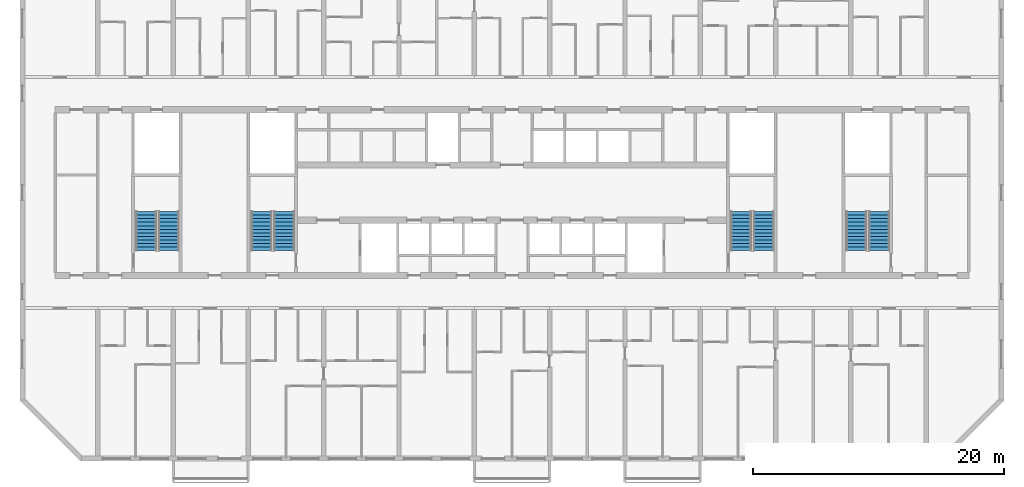
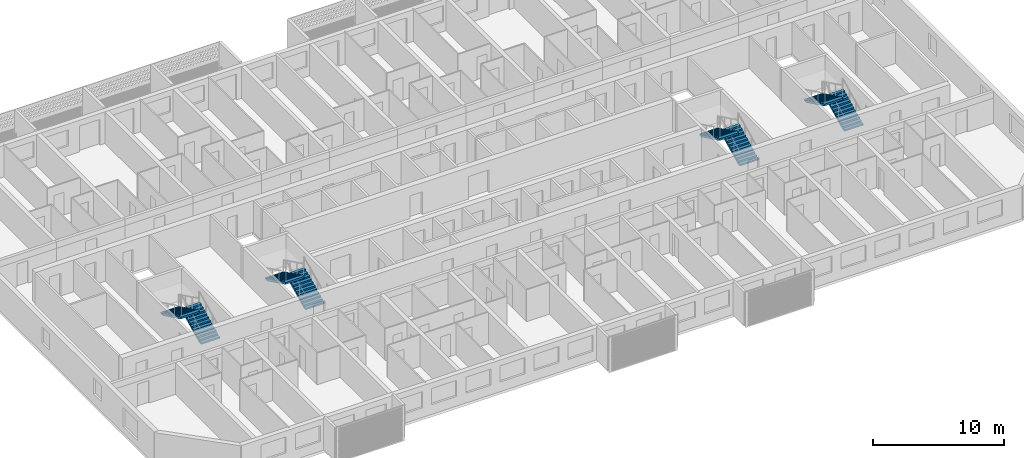
# One storey, part 14 of 24: 8 stair flights, 4 elements without a shape of their own.
"""IFC4 building model written with IfcOpenShell, lengths in metres."""

from ifc_helpers import new_model, si_unit, direction, frame, origin, place, context, subcontext, project, spatial, polyline, outline, extrude, material, layer, layer_set, type_object, element, aggregate, save


model = new_model("IFC4")

# Units and contexts
model_context = context("Model", 3, precision=1e-05, world=origin(), true_north=direction((0.0, 1.0)))
body_context = subcontext(model_context, "Body", "Model", "MODEL_VIEW")
ifc_project = project(units=[si_unit("LENGTHUNIT", "METRE"), si_unit("AREAUNIT", "SQUARE_METRE"), si_unit("VOLUMEUNIT", "CUBIC_METRE"), si_unit("PLANEANGLEUNIT", "RADIAN"), si_unit("MASSUNIT", "GRAM", prefix="KILO")], contexts=[model_context])

# Site, building, storey
site_placement = place(None, origin())
site = spatial("IfcSite", under=ifc_project, at=site_placement, CompositionType="ELEMENT")
building_placement = place(site_placement, origin())
building = spatial("IfcBuilding", under=site, at=building_placement, Name="Poui Terraces", CompositionType="ELEMENT")
storey_placement = place(building_placement, frame((0.0, 0.0, 112.5)))
storey = spatial("IfcBuildingStorey", under=building, at=storey_placement, Name="L31", CompositionType="ELEMENT", Elevation=112.5)

# Stair, stair flights
ifc_material = material(Name="Concrete 65 MPa", Category="concrete")
stair_type = type_object("IfcStairType", Name="EXIT STAIR 1650 65 MPA", PredefinedType="HALF_TURN_STAIR", material=ifc_material)
stair_1_placement = place(storey_placement, origin())
stair_1 = element("IfcStair", 1, at=stair_1_placement, inside=storey, type_object=stair_type, Name="L31 CORE STAIR EAST", PredefinedType="HALF_TURN_STAIR")
ifc_layer = layer(ifc_material, 0.14990234375)
ifc_layer_set = layer_set([ifc_layer], Name="Concrete 65 MPa")
stair_flight_type = type_object("IfcStairFlightType", Name="STAIR FLIGHT 12 RISERS 138 RISE 65 MPA", PredefinedType="STRAIGHT", material=ifc_layer_set)
stair_flight_1_placement = place(storey_placement, frame((71.050048828125, 16.60009765625, 0.0), z_axis=(0.0, 0.0, 1.0), x_axis=(0.0, 1.0, 0.0)))
stair_flight_1 = element("IfcStairFlight", 2, at=stair_flight_1_placement, type_object=stair_flight_type, Name="ST-CE flight 1", NumberOfRisers=12, NumberOfTreads=11, PredefinedType="STRAIGHT", RiserHeight=0.1375, TreadLength=0.28, context=body_context, shape_type="SweptSolid", body=[
    extrude(outline(polyline([(0.0, 0.0), (0.0, 0.137451171875), (0.280029296875, 0.137451171875), (0.280029296875, 0.27490234375), (0.56005859375, 0.27490234375), (0.56005859375, 0.41259765625), (0.840087890625, 0.41259765625), (0.840087890625, 0.550048828125), (1.1201171875, 0.550048828125), (1.1201171875, 0.6875), (1.39990234375, 0.6875), (1.39990234375, 0.824951171875), (1.679931640625, 0.824951171875), (1.679931640625, 0.96240234375), (1.9599609375, 0.96240234375), (1.9599609375, 1.10009765625), (2.239990234375, 1.10009765625), (2.239990234375, 1.237548828125), (2.52001953125, 1.237548828125), (2.52001953125, 1.375), (2.800048828125, 1.375), (2.800048828125, 1.512451171875), (3.080078125, 1.512451171875), (3.080078125, 1.64990234375), (3.080078125, 1.345458984375), (0.340087890625, 0.0), (0.0, 0.0)])), frame((0.0, 0.824951171875, 0.0), z_axis=(0.0, -1.0, 0.0), x_axis=(1.0, 0.0, 0.0)), (0.0, 0.0, 1.0), 1.64990234375),
])
stair_flight_2_placement = place(storey_placement, frame((69.25, 19.679931640625, 1.64990234375), z_axis=(0.0, 0.0, 1.0), x_axis=(0.0, -1.0, 0.0)))
stair_flight_2 = element("IfcStairFlight", 3, at=stair_flight_2_placement, type_object=stair_flight_type, Name="ST-CE flight 2", NumberOfRisers=12, NumberOfTreads=11, PredefinedType="STRAIGHT", RiserHeight=0.1375, TreadLength=0.28, context=body_context, shape_type="SweptSolid", body=[
    extrude(outline(polyline([(0.0, 0.0), (0.0, 0.137451171875), (0.280029296875, 0.137451171875), (0.280029296875, 0.27490234375), (0.56005859375, 0.27490234375), (0.56005859375, 0.41259765625), (0.840087890625, 0.41259765625), (0.840087890625, 0.550048828125), (1.1201171875, 0.550048828125), (1.1201171875, 0.6875), (1.39990234375, 0.6875), (1.39990234375, 0.824951171875), (1.679931640625, 0.824951171875), (1.679931640625, 0.96240234375), (1.9599609375, 0.96240234375), (1.9599609375, 1.10009765625), (2.239990234375, 1.10009765625), (2.239990234375, 1.237548828125), (2.52001953125, 1.237548828125), (2.52001953125, 1.375), (2.800048828125, 1.375), (2.800048828125, 1.512451171875), (3.080078125, 1.512451171875), (3.080078125, 1.64990234375), (3.080078125, 1.345458984375), (0.340087890625, 0.0), (0.0, 0.0)])), frame((0.0, 0.824951171875, 0.0), z_axis=(0.0, -1.0, 0.0), x_axis=(1.0, 0.0, 0.0)), (0.0, 0.0, 1.0), 1.64990234375),
])
aggregate(stair_1, [stair_flight_1, stair_flight_2])

stair_2_placement = place(storey_placement, origin())
stair_2 = element("IfcStair", 4, at=stair_2_placement, inside=storey, type_object=stair_type, Name="L31 CORE STAIR WEST", PredefinedType="HALF_TURN_STAIR")
stair_flight_3_placement = place(storey_placement, frame((32.85009765625, 16.60009765625, 0.0), z_axis=(0.0, 0.0, 1.0), x_axis=(0.0, 1.0, 0.0)))
stair_flight_3 = element("IfcStairFlight", 5, at=stair_flight_3_placement, type_object=stair_flight_type, Name="ST-CW flight 1", NumberOfRisers=12, NumberOfTreads=11, PredefinedType="STRAIGHT", RiserHeight=0.1375, TreadLength=0.28, context=body_context, shape_type="SweptSolid", body=[
    extrude(outline(polyline([(0.0, 0.0), (0.0, 0.137451171875), (0.280029296875, 0.137451171875), (0.280029296875, 0.27490234375), (0.56005859375, 0.27490234375), (0.56005859375, 0.41259765625), (0.840087890625, 0.41259765625), (0.840087890625, 0.550048828125), (1.1201171875, 0.550048828125), (1.1201171875, 0.6875), (1.39990234375, 0.6875), (1.39990234375, 0.824951171875), (1.679931640625, 0.824951171875), (1.679931640625, 0.96240234375), (1.9599609375, 0.96240234375), (1.9599609375, 1.10009765625), (2.239990234375, 1.10009765625), (2.239990234375, 1.237548828125), (2.52001953125, 1.237548828125), (2.52001953125, 1.375), (2.800048828125, 1.375), (2.800048828125, 1.512451171875), (3.080078125, 1.512451171875), (3.080078125, 1.64990234375), (3.080078125, 1.345458984375), (0.340087890625, 0.0), (0.0, 0.0)])), frame((0.0, 0.824951171875, 0.0), z_axis=(0.0, -1.0, 0.0), x_axis=(1.0, 0.0, 0.0)), (0.0, 0.0, 1.0), 1.64990234375),
])
stair_flight_4_placement = place(storey_placement, frame((31.050048828125, 19.679931640625, 1.64990234375), z_axis=(0.0, 0.0, 1.0), x_axis=(0.0, -1.0, 0.0)))
stair_flight_4 = element("IfcStairFlight", 6, at=stair_flight_4_placement, type_object=stair_flight_type, Name="ST-CW flight 2", NumberOfRisers=12, NumberOfTreads=11, PredefinedType="STRAIGHT", RiserHeight=0.1375, TreadLength=0.28, context=body_context, shape_type="SweptSolid", body=[
    extrude(outline(polyline([(0.0, 0.0), (0.0, 0.137451171875), (0.280029296875, 0.137451171875), (0.280029296875, 0.27490234375), (0.56005859375, 0.27490234375), (0.56005859375, 0.41259765625), (0.840087890625, 0.41259765625), (0.840087890625, 0.550048828125), (1.1201171875, 0.550048828125), (1.1201171875, 0.6875), (1.39990234375, 0.6875), (1.39990234375, 0.824951171875), (1.679931640625, 0.824951171875), (1.679931640625, 0.96240234375), (1.9599609375, 0.96240234375), (1.9599609375, 1.10009765625), (2.239990234375, 1.10009765625), (2.239990234375, 1.237548828125), (2.52001953125, 1.237548828125), (2.52001953125, 1.375), (2.800048828125, 1.375), (2.800048828125, 1.512451171875), (3.080078125, 1.512451171875), (3.080078125, 1.64990234375), (3.080078125, 1.345458984375), (0.340087890625, 0.0), (0.0, 0.0)])), frame((0.0, 0.824951171875, 0.0), z_axis=(0.0, -1.0, 0.0), x_axis=(1.0, 0.0, 0.0)), (0.0, 0.0, 1.0), 1.64990234375),
])
aggregate(stair_2, [stair_flight_3, stair_flight_4])

stair_3_placement = place(storey_placement, origin())
stair_3 = element("IfcStair", 7, at=stair_3_placement, inside=storey, type_object=stair_type, Name="L31 TIP STAIR EAST", PredefinedType="HALF_TURN_STAIR")
stair_flight_5_placement = place(storey_placement, frame((80.25, 16.60009765625, 0.0), z_axis=(0.0, 0.0, 1.0), x_axis=(0.0, 1.0, 0.0)))
stair_flight_5 = element("IfcStairFlight", 8, at=stair_flight_5_placement, type_object=stair_flight_type, Name="ST-E flight 1", NumberOfRisers=12, NumberOfTreads=11, PredefinedType="STRAIGHT", RiserHeight=0.1375, TreadLength=0.28, context=body_context, shape_type="SweptSolid", body=[
    extrude(outline(polyline([(0.0, 0.0), (0.0, 0.137451171875), (0.280029296875, 0.137451171875), (0.280029296875, 0.27490234375), (0.56005859375, 0.27490234375), (0.56005859375, 0.41259765625), (0.840087890625, 0.41259765625), (0.840087890625, 0.550048828125), (1.1201171875, 0.550048828125), (1.1201171875, 0.6875), (1.39990234375, 0.6875), (1.39990234375, 0.824951171875), (1.679931640625, 0.824951171875), (1.679931640625, 0.96240234375), (1.9599609375, 0.96240234375), (1.9599609375, 1.10009765625), (2.239990234375, 1.10009765625), (2.239990234375, 1.237548828125), (2.52001953125, 1.237548828125), (2.52001953125, 1.375), (2.800048828125, 1.375), (2.800048828125, 1.512451171875), (3.080078125, 1.512451171875), (3.080078125, 1.64990234375), (3.080078125, 1.345458984375), (0.340087890625, 0.0), (0.0, 0.0)])), frame((0.0, 0.824951171875, 0.0), z_axis=(0.0, -1.0, 0.0), x_axis=(1.0, 0.0, 0.0)), (0.0, 0.0, 1.0), 1.64990234375),
])
stair_flight_6_placement = place(storey_placement, frame((78.449951171875, 19.679931640625, 1.64990234375), z_axis=(0.0, 0.0, 1.0), x_axis=(0.0, -1.0, 0.0)))
stair_flight_6 = element("IfcStairFlight", 9, at=stair_flight_6_placement, type_object=stair_flight_type, Name="ST-E flight 2", NumberOfRisers=12, NumberOfTreads=11, PredefinedType="STRAIGHT", RiserHeight=0.1375, TreadLength=0.28, context=body_context, shape_type="SweptSolid", body=[
    extrude(outline(polyline([(0.0, 0.0), (0.0, 0.137451171875), (0.280029296875, 0.137451171875), (0.280029296875, 0.27490234375), (0.56005859375, 0.27490234375), (0.56005859375, 0.41259765625), (0.840087890625, 0.41259765625), (0.840087890625, 0.550048828125), (1.1201171875, 0.550048828125), (1.1201171875, 0.6875), (1.39990234375, 0.6875), (1.39990234375, 0.824951171875), (1.679931640625, 0.824951171875), (1.679931640625, 0.96240234375), (1.9599609375, 0.96240234375), (1.9599609375, 1.10009765625), (2.239990234375, 1.10009765625), (2.239990234375, 1.237548828125), (2.52001953125, 1.237548828125), (2.52001953125, 1.375), (2.800048828125, 1.375), (2.800048828125, 1.512451171875), (3.080078125, 1.512451171875), (3.080078125, 1.64990234375), (3.080078125, 1.345458984375), (0.340087890625, 0.0), (0.0, 0.0)])), frame((0.0, 0.824951171875, 0.0), z_axis=(0.0, -1.0, 0.0), x_axis=(1.0, 0.0, 0.0)), (0.0, 0.0, 1.0), 1.64990234375),
])
aggregate(stair_3, [stair_flight_5, stair_flight_6])

stair_4_placement = place(storey_placement, origin())
stair_4 = element("IfcStair", 10, at=stair_4_placement, inside=storey, type_object=stair_type, Name="L31 TIP STAIR WEST", PredefinedType="HALF_TURN_STAIR")
stair_flight_7_placement = place(storey_placement, frame((23.64990234375, 16.60009765625, 0.0), z_axis=(0.0, 0.0, 1.0), x_axis=(0.0, 1.0, 0.0)))
stair_flight_7 = element("IfcStairFlight", 11, at=stair_flight_7_placement, type_object=stair_flight_type, Name="ST-W flight 1", NumberOfRisers=12, NumberOfTreads=11, PredefinedType="STRAIGHT", RiserHeight=0.1375, TreadLength=0.28, context=body_context, shape_type="SweptSolid", body=[
    extrude(outline(polyline([(0.0, 0.0), (0.0, 0.137451171875), (0.280029296875, 0.137451171875), (0.280029296875, 0.27490234375), (0.56005859375, 0.27490234375), (0.56005859375, 0.41259765625), (0.840087890625, 0.41259765625), (0.840087890625, 0.550048828125), (1.1201171875, 0.550048828125), (1.1201171875, 0.6875), (1.39990234375, 0.6875), (1.39990234375, 0.824951171875), (1.679931640625, 0.824951171875), (1.679931640625, 0.96240234375), (1.9599609375, 0.96240234375), (1.9599609375, 1.10009765625), (2.239990234375, 1.10009765625), (2.239990234375, 1.237548828125), (2.52001953125, 1.237548828125), (2.52001953125, 1.375), (2.800048828125, 1.375), (2.800048828125, 1.512451171875), (3.080078125, 1.512451171875), (3.080078125, 1.64990234375), (3.080078125, 1.345458984375), (0.340087890625, 0.0), (0.0, 0.0)])), frame((0.0, 0.824951171875, 0.0), z_axis=(0.0, -1.0, 0.0), x_axis=(1.0, 0.0, 0.0)), (0.0, 0.0, 1.0), 1.64990234375),
])
stair_flight_8_placement = place(storey_placement, frame((21.85009765625, 19.679931640625, 1.64990234375), z_axis=(0.0, 0.0, 1.0), x_axis=(0.0, -1.0, 0.0)))
stair_flight_8 = element("IfcStairFlight", 12, at=stair_flight_8_placement, type_object=stair_flight_type, Name="ST-W flight 2", NumberOfRisers=12, NumberOfTreads=11, PredefinedType="STRAIGHT", RiserHeight=0.1375, TreadLength=0.28, context=body_context, shape_type="SweptSolid", body=[
    extrude(outline(polyline([(0.0, 0.0), (0.0, 0.137451171875), (0.280029296875, 0.137451171875), (0.280029296875, 0.27490234375), (0.56005859375, 0.27490234375), (0.56005859375, 0.41259765625), (0.840087890625, 0.41259765625), (0.840087890625, 0.550048828125), (1.1201171875, 0.550048828125), (1.1201171875, 0.6875), (1.39990234375, 0.6875), (1.39990234375, 0.824951171875), (1.679931640625, 0.824951171875), (1.679931640625, 0.96240234375), (1.9599609375, 0.96240234375), (1.9599609375, 1.10009765625), (2.239990234375, 1.10009765625), (2.239990234375, 1.237548828125), (2.52001953125, 1.237548828125), (2.52001953125, 1.375), (2.800048828125, 1.375), (2.800048828125, 1.512451171875), (3.080078125, 1.512451171875), (3.080078125, 1.64990234375), (3.080078125, 1.345458984375), (0.340087890625, 0.0), (0.0, 0.0)])), frame((0.0, 0.824951171875, 0.0), z_axis=(0.0, -1.0, 0.0), x_axis=(1.0, 0.0, 0.0)), (0.0, 0.0, 1.0), 1.64990234375),
])
aggregate(stair_4, [stair_flight_7, stair_flight_8])

save(model, "model.ifc")
